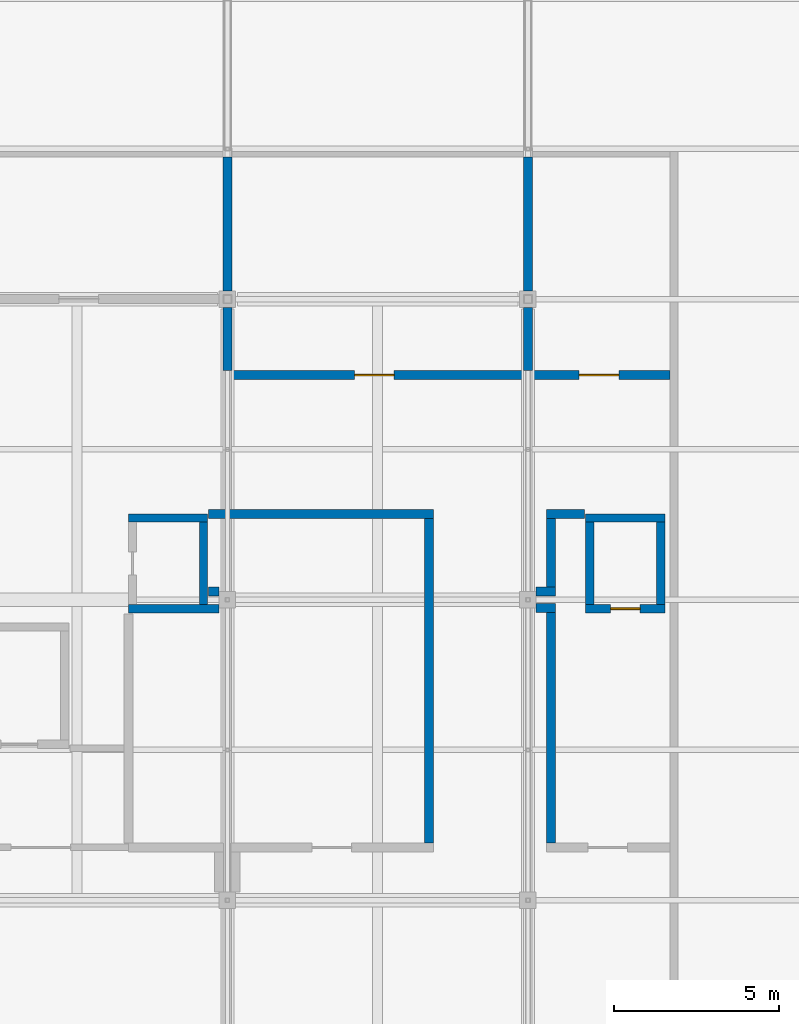
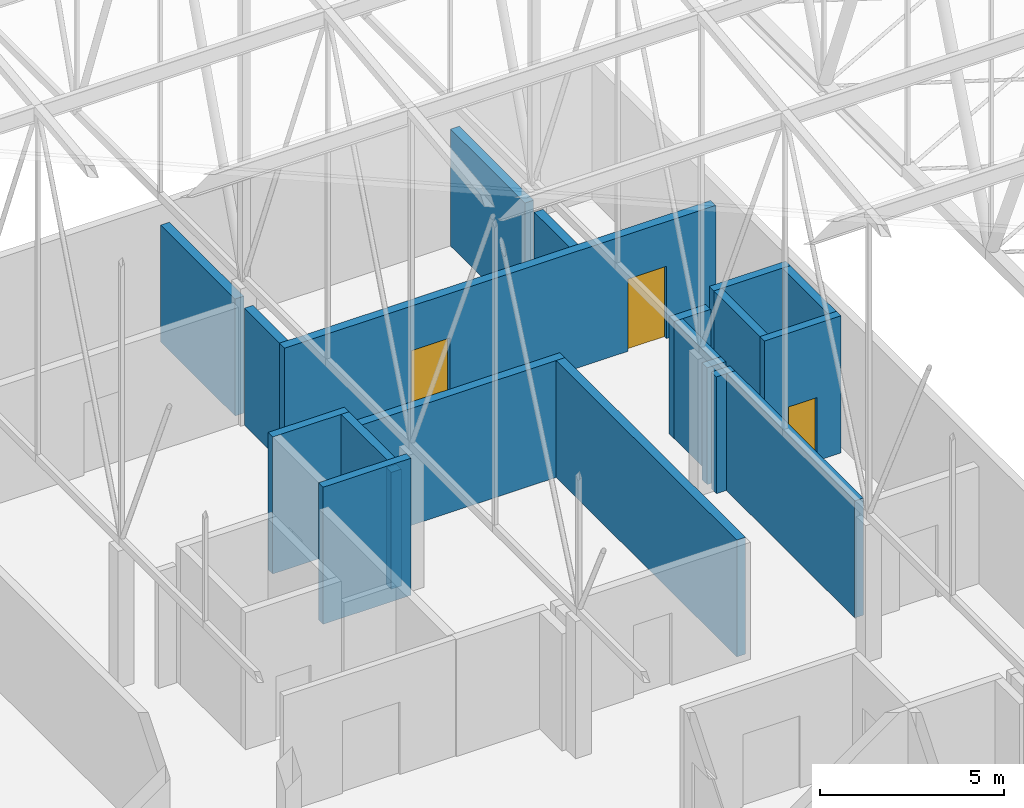
# One storey, part 426 of 500: 20 walls, 3 doors, 3 openings.
"""IFC4 building model written with IfcOpenShell, lengths in metres."""

from ifc_helpers import new_model, si_unit, direction, frame, frame_2d, origin, place, context, subcontext, project, spatial, rectangle, extrude, material, layer, layer_set, type_object, element, fill, save


model = new_model("IFC4")

# Units and contexts
model_context = context("Model", 3, precision=1e-05, world=origin(), true_north=direction((0.0, 1.0)))
body_context = subcontext(model_context, "Body", "Model", "MODEL_VIEW")
ifc_project = project(units=[si_unit("LENGTHUNIT", "METRE"), si_unit("AREAUNIT", "SQUARE_METRE"), si_unit("VOLUMEUNIT", "CUBIC_METRE"), si_unit("PLANEANGLEUNIT", "RADIAN"), si_unit("MASSUNIT", "GRAM", prefix="KILO")], contexts=[model_context])

# Site, building, storey
site_placement = place(None, origin())
site = spatial("IfcSite", under=ifc_project, at=site_placement, CompositionType="ELEMENT")
building_placement = place(site_placement, origin())
building = spatial("IfcBuilding", under=site, at=building_placement, Name="Shirokan Park Arena", CompositionType="ELEMENT")
storey_placement = place(building_placement, frame((0.0, 0.0, 29.1201171875)))
storey = spatial("IfcBuildingStorey", under=building, at=storey_placement, Name="L06", CompositionType="ELEMENT", Elevation=29.1201171875)

# Walls
ifc_material_1 = material(Name="Plaster")
ifc_layer_1 = layer(ifc_material_1, 0.012451171875, Name="Plaster")
ifc_material_2 = material(Name="Concrete blockwork", Category="masonry")
ifc_layer_2 = layer(ifc_material_2, 0.25, Name="Concrete blockwork 250")
ifc_layer_3 = layer(ifc_material_1, 0.012451171875, Name="Plaster")
ifc_layer_set_1 = layer_set([ifc_layer_1, ifc_layer_2, ifc_layer_3], Name="Plaster + Concrete blockwork 250")
wall_type_1 = type_object("IfcWallType", Name="Plant room wall 275", PredefinedType="SOLIDWALL", material=ifc_layer_set_1)
wall_1_placement = place(storey_placement, frame((26.72998046875, 29.89990234375, 0.0), z_axis=(0.0, 0.0, 1.0), x_axis=(1.0, 0.0, 0.0)))
element("IfcWall", 1, at=wall_1_placement, inside=storey, type_object=wall_type_1, Name="Plant room wall 275 L06", PredefinedType="SOLIDWALL", context=body_context, shape_type="SweptSolid", body=[
    extrude(rectangle(XDim=6.8076171875, YDim=0.27490234375, at=frame_2d((3.40380859375, 0.0))), origin(), (0.0, 0.0, 1.0), 3.8798828125),
])
wall_2_placement = place(storey_placement, frame((27.050048828125, 27.550048828125, 0.0), z_axis=(0.0, 0.0, 1.0), x_axis=(-1.0, 0.0, 0.0)))
element("IfcWall", 2, at=wall_2_placement, inside=storey, type_object=wall_type_1, Name="Plant room wall 275 L06", PredefinedType="SOLIDWALL", context=body_context, shape_type="SweptSolid", body=[
    extrude(rectangle(XDim=0.320068359375, YDim=0.27490234375, at=frame_2d((0.16015625, 0.0))), origin(), (0.0, 0.0, 1.0), 3.8798828125),
])
wall_3_placement = place(storey_placement, frame((27.300048828125, 34.237548828125, 0.0), z_axis=(0.0, 0.0, 1.0), x_axis=(0.0, 1.0, 0.0)))
element("IfcWall", 3, at=wall_3_placement, inside=storey, type_object=wall_type_1, Name="Plant room wall 275 L06", PredefinedType="SOLIDWALL", context=body_context, shape_type="SweptSolid", body=[
    extrude(rectangle(XDim=1.912353515625, YDim=0.27490234375, at=frame_2d((0.9560546875, 0.0))), origin(), (0.0, 0.0, 1.0), 3.8798828125),
])
wall_4_placement = place(storey_placement, frame((27.300048828125, 40.699951171875, 0.0), z_axis=(0.0, 0.0, 1.0), x_axis=(0.0, -1.0, 0.0)))
element("IfcWall", 4, at=wall_4_placement, inside=storey, type_object=wall_type_1, Name="Plant room wall 275 L06", PredefinedType="SOLIDWALL", context=body_context, shape_type="SweptSolid", body=[
    extrude(rectangle(XDim=4.050048828125, YDim=0.27490234375, at=frame_2d((2.02490234375, 0.0))), origin(), (0.0, 0.0, 1.0), 3.8798828125),
])
wall_5_placement = place(storey_placement, frame((33.39990234375, 29.762451171875, 0.0), z_axis=(0.0, 0.0, 1.0), x_axis=(0.0, -1.0, 0.0)))
element("IfcWall", 5, at=wall_5_placement, inside=storey, type_object=wall_type_1, Name="Plant room wall 275 L06", PredefinedType="SOLIDWALL", context=body_context, shape_type="SweptSolid", body=[
    extrude(rectangle(XDim=9.824951171875, YDim=0.27490234375, at=frame_2d((4.91259765625, 0.0))), origin(), (0.0, 0.0, 1.0), 3.8798828125),
])

# Wall, openings, doors
wall_6_placement = place(storey_placement, frame((27.16259765625, 34.10009765625, 0.0), z_axis=(0.0, 0.0, 1.0), x_axis=(1.0, 0.0, 0.0)))
wall_6 = element("IfcWall", 6, at=wall_6_placement, inside=storey, type_object=wall_type_1, Name="Plant room wall 275 L06", PredefinedType="SOLIDWALL", context=body_context, shape_type="SweptSolid", body=[
    extrude(rectangle(XDim=13.537353515625, YDim=0.27490234375, at=frame_2d((6.7685546875, 0.0))), origin(), (0.0, 0.0, 1.0), 3.8798828125),
])
opening_1_placement = place(wall_6_placement, frame((3.987548828125, 0.0, 0.0)))
opening_1 = element("IfcOpeningElement", 7, at=opening_1_placement, cuts=wall_6, Name="Opening D-6011", PredefinedType="OPENING", context=body_context, shape_type="SweptSolid", body=[
    extrude(rectangle(XDim=1.199951171875, YDim=2.39990234375, at=frame_2d((0.60009765625, 1.199951171875))), frame((0.0, 0.1474609375, 0.0), z_axis=(0.0, -1.0, 0.0), x_axis=(1.0, 0.0, 0.0)), (0.0, 0.0, 1.0), 0.294921875),
])
opening_2_placement = place(wall_6_placement, frame((10.78759765625, 0.0, 0.0)))
opening_2 = element("IfcOpeningElement", 8, at=opening_2_placement, cuts=wall_6, Name="Opening D-6012", PredefinedType="OPENING", context=body_context, shape_type="SweptSolid", body=[
    extrude(rectangle(XDim=1.199951171875, YDim=2.39990234375, at=frame_2d((0.60009765625, 1.199951171875))), frame((0.0, 0.1474609375, 0.0), z_axis=(0.0, -1.0, 0.0), x_axis=(1.0, 0.0, 0.0)), (0.0, 0.0, 1.0), 0.294921875),
])
ifc_material_3 = material(Name="Louvred steel door set, fire resisting", Category="steel")
door_type_1 = type_object("IfcDoorType", Name="Plant room door 1200 x 2400", OperationType="SINGLE_SWING_LEFT", PredefinedType="DOOR", material=ifc_material_3)
door_1_placement = place(opening_1_placement, origin())
door_1 = element("IfcDoor", 9, at=door_1_placement, inside=storey, type_object=door_type_1, Name="Door to Electrical Switch Room 6.12 D-6011", OperationType="SINGLE_SWING_RIGHT", OverallHeight=2.39990234375, OverallWidth=1.199951171875, PredefinedType="DOOR", context=body_context, shape_type="SweptSolid", body=[
    extrude(rectangle(XDim=1.199951171875, YDim=2.39990234375, at=frame_2d((0.60009765625, 1.199951171875))), frame((0.0, 0.02490234375, 0.0), z_axis=(0.0, -1.0, 0.0), x_axis=(1.0, 0.0, 0.0)), (0.0, 0.0, 1.0), 0.050048828125),
])
fill(opening_1, door_1)
door_2_placement = place(opening_2_placement, origin())
door_2 = element("IfcDoor", 10, at=door_2_placement, inside=storey, type_object=door_type_1, Name="Door to UPS and Battery Room 6.13 D-6012", OperationType="SINGLE_SWING_LEFT", OverallHeight=2.39990234375, OverallWidth=1.199951171875, PredefinedType="DOOR", context=body_context, shape_type="SweptSolid", body=[
    extrude(rectangle(XDim=1.199951171875, YDim=2.39990234375, at=frame_2d((0.60009765625, 1.199951171875))), frame((0.0, 0.02490234375, 0.0), z_axis=(0.0, -1.0, 0.0), x_axis=(1.0, 0.0, 0.0)), (0.0, 0.0, 1.0), 0.050048828125),
])
fill(opening_2, door_2)

# Walls
wall_7_placement = place(storey_placement, frame((36.39990234375, 36.14990234375, 0.0), z_axis=(0.0, 0.0, 1.0), x_axis=(0.0, -1.0, 0.0)))
element("IfcWall", 11, at=wall_7_placement, inside=storey, type_object=wall_type_1, Name="Plant room wall 275 L06", PredefinedType="SOLIDWALL", context=body_context, shape_type="SweptSolid", body=[
    extrude(rectangle(XDim=1.912353515625, YDim=0.27490234375, at=frame_2d((0.9560546875, 0.0))), origin(), (0.0, 0.0, 1.0), 3.8798828125),
])
wall_8_placement = place(storey_placement, frame((36.39990234375, 40.699951171875, 0.0), z_axis=(0.0, 0.0, 1.0), x_axis=(0.0, -1.0, 0.0)))
element("IfcWall", 12, at=wall_8_placement, inside=storey, type_object=wall_type_1, Name="Plant room wall 275 L06", PredefinedType="SOLIDWALL", context=body_context, shape_type="SweptSolid", body=[
    extrude(rectangle(XDim=4.050048828125, YDim=0.27490234375, at=frame_2d((2.02490234375, 0.0))), origin(), (0.0, 0.0, 1.0), 3.8798828125),
])
wall_9_placement = place(storey_placement, frame((36.64990234375, 27.050048828125, 0.0), z_axis=(0.0, 0.0, 1.0), x_axis=(1.0, 0.0, 0.0)))
element("IfcWall", 13, at=wall_9_placement, inside=storey, type_object=wall_type_1, Name="Plant room wall 275 L06", PredefinedType="SOLIDWALL", context=body_context, shape_type="SweptSolid", body=[
    extrude(rectangle(XDim=0.587646484375, YDim=0.27490234375, at=frame_2d((0.2939453125, 0.0))), origin(), (0.0, 0.0, 1.0), 3.8798828125),
])
wall_10_placement = place(storey_placement, frame((36.96240234375, 29.89990234375, 0.0), z_axis=(0.0, 0.0, 1.0), x_axis=(1.0, 0.0, 0.0)))
element("IfcWall", 14, at=wall_10_placement, inside=storey, type_object=wall_type_1, Name="Plant room wall 275 L06", PredefinedType="SOLIDWALL", context=body_context, shape_type="SweptSolid", body=[
    extrude(rectangle(XDim=1.15771484375, YDim=0.27490234375, at=frame_2d((0.578857421875, 0.0))), origin(), (0.0, 0.0, 1.0), 3.8798828125),
])
wall_11_placement = place(storey_placement, frame((37.10009765625, 26.91259765625, 0.0), z_axis=(0.0, 0.0, 1.0), x_axis=(0.0, -1.0, 0.0)))
element("IfcWall", 15, at=wall_11_placement, inside=storey, type_object=wall_type_1, Name="Plant room wall 275 L06", PredefinedType="SOLIDWALL", context=body_context, shape_type="SweptSolid", body=[
    extrude(rectangle(XDim=6.97509765625, YDim=0.27490234375, at=frame_2d((3.487548828125, 0.0))), origin(), (0.0, 0.0, 1.0), 3.8798828125),
])
wall_12_placement = place(storey_placement, frame((37.10009765625, 29.762451171875, 0.0), z_axis=(0.0, 0.0, 1.0), x_axis=(0.0, -1.0, 0.0)))
element("IfcWall", 16, at=wall_12_placement, inside=storey, type_object=wall_type_1, Name="Plant room wall 275 L06", PredefinedType="SOLIDWALL", context=body_context, shape_type="SweptSolid", body=[
    extrude(rectangle(XDim=2.074951171875, YDim=0.27490234375, at=frame_2d((1.03759765625, 0.0))), origin(), (0.0, 0.0, 1.0), 3.8798828125),
])
wall_13_placement = place(storey_placement, frame((37.237548828125, 27.550048828125, 0.0), z_axis=(0.0, 0.0, 1.0), x_axis=(-1.0, 0.0, 0.0)))
element("IfcWall", 17, at=wall_13_placement, inside=storey, type_object=wall_type_1, Name="Plant room wall 275 L06", PredefinedType="SOLIDWALL", context=body_context, shape_type="SweptSolid", body=[
    extrude(rectangle(XDim=0.587646484375, YDim=0.27490234375, at=frame_2d((0.2939453125, 0.0))), origin(), (0.0, 0.0, 1.0), 3.8798828125),
])

# Wall, opening, door
ifc_material_4 = material(Name="Concrete C40/50", Category="concrete")
ifc_layer_4 = layer(ifc_material_4, 0.25)
ifc_layer_set_2 = layer_set([ifc_layer_4], Name="Concrete C40/50 250 mm")
wall_type_2 = type_object("IfcWallType", Name="RC shear wall 250", PredefinedType="SHEAR", material=ifc_layer_set_2)
wall_14_placement = place(storey_placement, frame((40.550048828125, 27.02490234375, 0.0), z_axis=(0.0, 0.0, 1.0), x_axis=(-1.0, 0.0, 0.0)))
wall_14 = element("IfcWall", 18, at=wall_14_placement, inside=storey, type_object=wall_type_2, Name="Shaft wall Services Riser 1.1 S L06", PredefinedType="SHEAR", context=body_context, shape_type="SweptSolid", body=[
    extrude(rectangle(XDim=2.400146484375, YDim=0.25, at=frame_2d((1.2001953125, 0.0))), origin(), (0.0, 0.0, 1.0), 4.5498046875),
])
opening_3_placement = place(wall_14_placement, frame((0.75, 0.0, 0.0)))
opening_3 = element("IfcOpeningElement", 19, at=opening_3_placement, cuts=wall_14, Name="Opening D-6060", PredefinedType="OPENING", context=body_context, shape_type="SweptSolid", body=[
    extrude(rectangle(XDim=0.89990234375, YDim=2.10009765625, at=frame_2d((0.449951171875, 1.050048828125))), frame((0.0, 0.135009765625, 0.0), z_axis=(0.0, -1.0, 0.0), x_axis=(1.0, 0.0, 0.0)), (0.0, 0.0, 1.0), 0.27001953125),
])
ifc_material_5 = material(Name="Steel door set, fire resisting", Category="steel")
door_type_2 = type_object("IfcDoorType", Name="Electrical riser door 900 x 2100", OperationType="SINGLE_SWING_LEFT", PredefinedType="DOOR", material=ifc_material_5)
door_3_placement = place(opening_3_placement, origin())
door_3 = element("IfcDoor", 20, at=door_3_placement, inside=storey, type_object=door_type_2, Name="Riser access door Services Riser 1.1 D-6060", OperationType="SINGLE_SWING_RIGHT", OverallHeight=2.10009765625, OverallWidth=0.89990234375, PredefinedType="DOOR", context=body_context, shape_type="SweptSolid", body=[
    extrude(rectangle(XDim=0.89990234375, YDim=2.10009765625, at=frame_2d((0.449951171875, 1.050048828125))), frame((0.0, 0.02490234375, 0.0), z_axis=(0.0, -1.0, 0.0), x_axis=(1.0, 0.0, 0.0)), (0.0, 0.0, 1.0), 0.050048828125),
])
fill(opening_3, door_3)

# Walls
wall_15_placement = place(storey_placement, frame((40.550048828125, 29.77490234375, 0.0), z_axis=(0.0, 0.0, 1.0), x_axis=(-1.0, 0.0, 0.0)))
element("IfcWall", 21, at=wall_15_placement, inside=storey, type_object=wall_type_2, Name="Shaft wall Services Riser 1.1 N L06", PredefinedType="SHEAR", context=body_context, shape_type="SweptSolid", body=[
    extrude(rectangle(XDim=2.400146484375, YDim=0.25, at=frame_2d((1.2001953125, 0.0))), origin(), (0.0, 0.0, 1.0), 4.5498046875),
])
for number, where, z_axis, x_axis, name in (
    (22, (38.27490234375, 29.64990234375, 0.0), (0.0, 0.0, 1.0), (0.0, -1.0, 0.0), "Shaft wall Services Riser 1.1 W L06"),
    (23, (40.425048828125, 29.64990234375, 0.0), (0.0, 0.0, 1.0), (0.0, -1.0, 0.0), "Shaft wall Services Riser 1.1 E L06"),
):
    element("IfcWall", number, at=place(storey_placement, frame(where, z_axis=z_axis, x_axis=x_axis)), inside=storey, type_object=wall_type_2, Name=name, PredefinedType="SHEAR", context=body_context, shape_type="SweptSolid", body=[
        extrude(rectangle(XDim=2.5, YDim=0.25, at=frame_2d((1.25, 0.0))), origin(), (0.0, 0.0, 1.0), 4.5498046875),
    ])
wall_16_placement = place(storey_placement, frame((27.050048828125, 27.02490234375, 0.0), z_axis=(0.0, 0.0, 1.0), x_axis=(-1.0, 0.0, 0.0)))
element("IfcWall", 24, at=wall_16_placement, inside=storey, type_object=wall_type_2, Name="Shaft wall Services Riser 1.2 S L06", PredefinedType="SHEAR", context=body_context, shape_type="SweptSolid", body=[
    extrude(rectangle(XDim=2.75, YDim=0.25, at=frame_2d((1.375, 0.0))), origin(), (0.0, 0.0, 1.0), 4.5498046875),
])
wall_17_placement = place(storey_placement, frame((26.699951171875, 29.77490234375, 0.0), z_axis=(0.0, 0.0, 1.0), x_axis=(-1.0, 0.0, 0.0)))
element("IfcWall", 25, at=wall_17_placement, inside=storey, type_object=wall_type_2, Name="Shaft wall Services Riser 1.2 N L06", PredefinedType="SHEAR", context=body_context, shape_type="SweptSolid", body=[
    extrude(rectangle(XDim=2.39990234375, YDim=0.25, at=frame_2d((1.199951171875, 0.0))), origin(), (0.0, 0.0, 1.0), 4.5498046875),
])
wall_18_placement = place(storey_placement, frame((26.574951171875, 29.64990234375, 0.0), z_axis=(0.0, 0.0, 1.0), x_axis=(0.0, -1.0, 0.0)))
element("IfcWall", 26, at=wall_18_placement, inside=storey, type_object=wall_type_2, Name="Shaft wall Services Riser 1.2 E L06", PredefinedType="SHEAR", context=body_context, shape_type="SweptSolid", body=[
    extrude(rectangle(XDim=2.5, YDim=0.25, at=frame_2d((1.25, 0.0))), origin(), (0.0, 0.0, 1.0), 4.5498046875),
])

save(model, "model.ifc")
